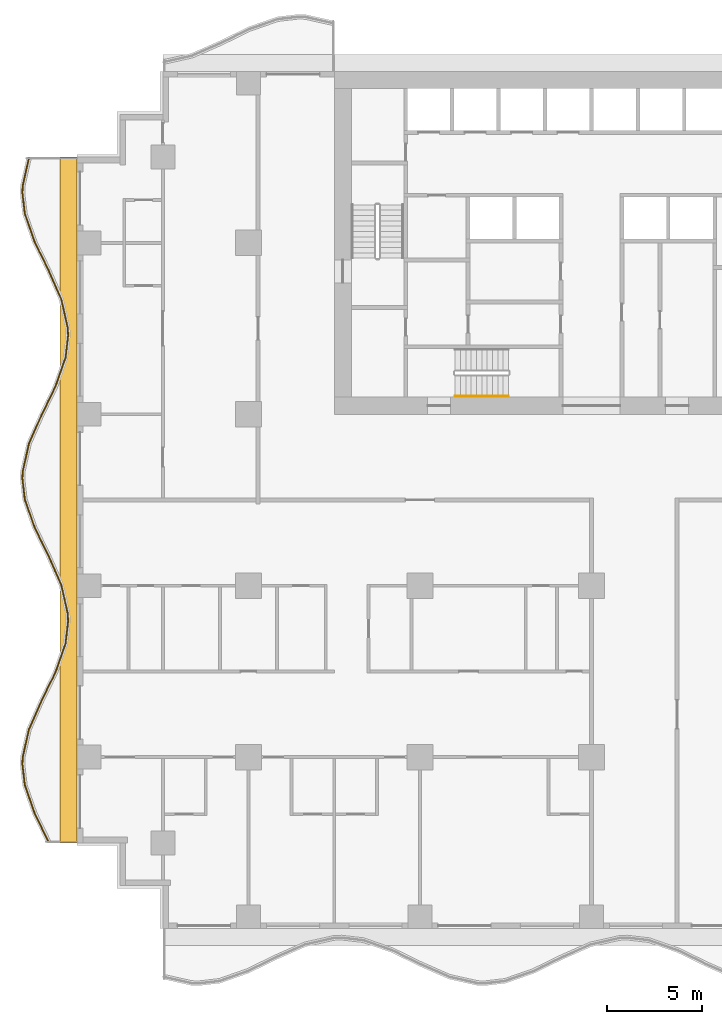
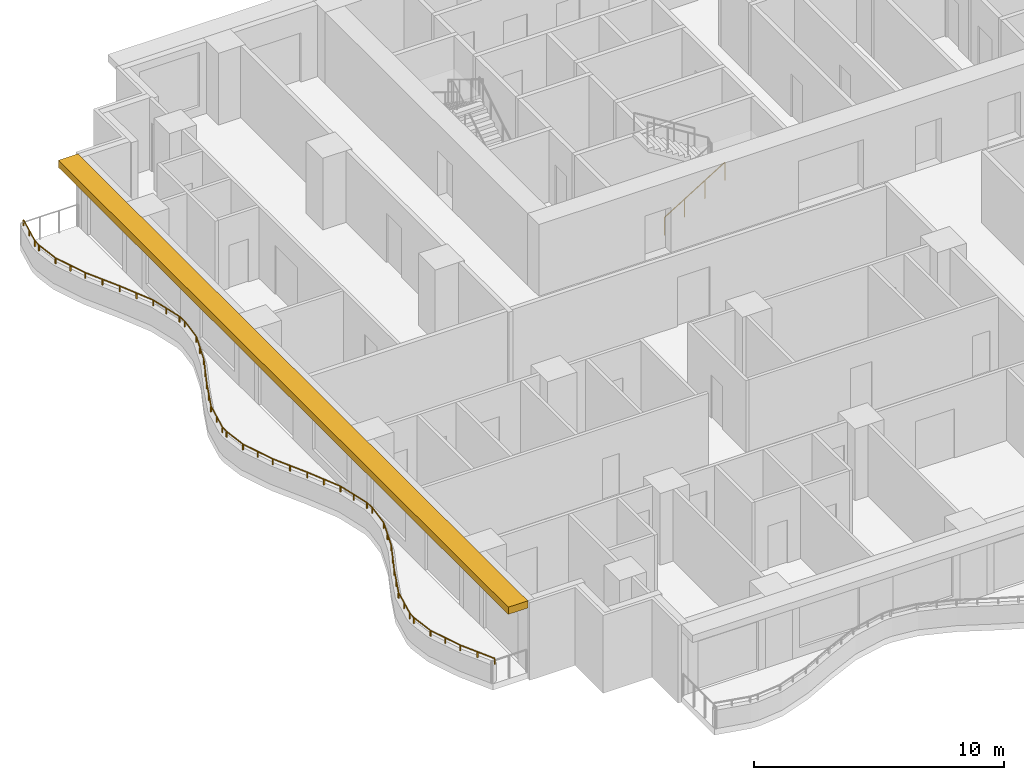
# One storey, part 9 of 14: 2 railings, 1 shading device.
"""IFC4 building model written with IfcOpenShell, lengths in metres."""

from ifc_helpers import new_model, si_unit, direction, frame, origin, origin_2d, place, context, subcontext, project, spatial, polyline, rectangle, circle, outline, extrude, material, layer, layer_set, type_object, element, save


model = new_model("IFC4")

# Units and contexts
model_context = context("Model", 3, precision=1e-05, world=origin(), true_north=direction((0.0, 1.0)))
body_context = subcontext(model_context, "Body", "Model", "MODEL_VIEW")
ifc_project = project(units=[si_unit("LENGTHUNIT", "METRE"), si_unit("AREAUNIT", "SQUARE_METRE"), si_unit("VOLUMEUNIT", "CUBIC_METRE"), si_unit("PLANEANGLEUNIT", "RADIAN"), si_unit("MASSUNIT", "GRAM", prefix="KILO")], contexts=[model_context])

# Site, building, storey
site_placement = place(None, origin())
site = spatial("IfcSite", under=ifc_project, at=site_placement, CompositionType="ELEMENT")
building_placement = place(site_placement, origin())
building = spatial("IfcBuilding", under=site, at=building_placement, Name="Orbiselva Terraces", CompositionType="ELEMENT")
storey_placement = place(building_placement, frame((0.0, 0.0, 111.2)))
storey = spatial("IfcBuildingStorey", under=building, at=storey_placement, Name="L28", CompositionType="ELEMENT", Elevation=111.2)

# Railings
ifc_material_1 = material(Name="Stainless steel", Category="steel")
railing_type_1 = type_object("IfcRailingType", Name="CORE-HANDRAIL-900", PredefinedType="HANDRAIL", material=ifc_material_1)
railing_1_placement = place(storey_placement, frame((-7.15, 5.45, 0.172727)))
element("IfcRailing", 1, at=railing_1_placement, inside=storey, type_object=railing_type_1, Name="L28 S3 stair handrail 1", PredefinedType="HANDRAIL", context=body_context, shape_type="SweptSolid", body=[
    extrude(circle(Radius=0.024, at=origin_2d()), frame((0.0, 0.0, 0.876), z_axis=(0.851088519012, 0.0, 0.52502222125), x_axis=(0.0, 1.0, 0.0)), (0.0, 0.0, 1.0), 3.289905),
    extrude(circle(Radius=0.021, at=origin_2d()), origin(), (0.0, 0.0, 1.0), 0.852),
    extrude(circle(Radius=0.021, at=origin_2d()), frame((0.933333, 0.0, 0.575758)), (0.0, 0.0, 1.0), 0.852),
    extrude(circle(Radius=0.021, at=origin_2d()), frame((1.866667, 0.0, 1.151515)), (0.0, 0.0, 1.0), 0.852),
    extrude(circle(Radius=0.021, at=origin_2d()), frame((2.8, 0.0, 1.727273)), (0.0, 0.0, 1.0), 0.852),
])
ifc_material_2 = material(Name="Bonded two-ply safety glass balustrade, stainless steel posts", Category="steel")
railing_type_2 = type_object("IfcRailingType", Name="ENV-BALUSTRADE-1200", PredefinedType="BALUSTRADE", material=ifc_material_2)
railing_2_placement = place(storey_placement, frame((-29.526563, 17.972623, 0.9)))
element("IfcRailing", 2, at=railing_2_placement, inside=storey, type_object=railing_type_2, Name="Balcony balustrade L28 W", PredefinedType="BALUSTRADE", context=body_context, shape_type="SweptSolid", body=[
    extrude(outline(polyline([(0.028868, 0.0), (0.014434, 0.025), (-0.014434, 0.025), (-0.028868, 0.0), (-0.014434, -0.025), (0.014434, -0.025), (0.028868, 0.0)])), frame((0.0, 0.0, 0.275), z_axis=(-0.21901575501, -0.975721322437, 0.0), x_axis=(0.975721322437, -0.21901575501, 0.0)), (0.0, 0.0, 1.0), 1.525954),
    extrude(outline(polyline([(0.028868, 0.0), (0.014434, 0.025), (-0.014434, 0.025), (-0.028868, 0.0), (-0.014434, -0.025), (0.014434, -0.025), (0.028868, 0.0)])), frame((-0.334208, -1.488906, 0.275), z_axis=(-0.039364150694, -0.999224931454, 0.0), x_axis=(0.999224931454, -0.039364150694, 0.0)), (0.0, 0.0, 1.0), 0.354206),
    extrude(outline(polyline([(0.028868, 0.0), (0.014434, 0.025), (-0.014434, 0.025), (-0.028868, 0.0), (-0.014434, -0.025), (0.014434, -0.025), (0.028868, 0.0)])), frame((-0.348151, -1.842837, 0.275), z_axis=(0.115481264762, -0.993309658409, 0.0), x_axis=(0.993309658409, 0.115481264762, 0.0)), (0.0, 0.0, 1.0), 1.10902),
    extrude(outline(polyline([(0.028868, 0.0), (0.014434, 0.025), (-0.014434, 0.025), (-0.028868, 0.0), (-0.014434, -0.025), (0.014434, -0.025), (0.028868, 0.0)])), frame((-0.22008, -2.944437, 0.275), z_axis=(0.330024754707, -0.943972277814, 0.0), x_axis=(0.943972277814, 0.330024754707, 0.0)), (0.0, 0.0, 1.0), 1.567807),
    extrude(outline(polyline([(0.028868, 0.0), (0.014434, 0.025), (-0.014434, 0.025), (-0.028868, 0.0), (-0.014434, -0.025), (0.014434, -0.025), (0.028868, 0.0)])), frame((0.297335, -4.424403, 0.275), z_axis=(0.438811978768, -0.89857890432, 0.0), x_axis=(0.89857890432, 0.438811978768, 0.0)), (0.0, 0.0, 1.0), 1.66438),
    extrude(outline(polyline([(0.028868, 0.0), (0.014434, 0.025), (-0.014434, 0.025), (-0.028868, 0.0), (-0.014434, -0.025), (0.014434, -0.025), (0.028868, 0.0)])), frame((1.027685, -5.91998, 0.275), z_axis=(0.403150874148, -0.915133527237, 0.0), x_axis=(0.915133527237, 0.403150874148, 0.0)), (0.0, 0.0, 1.0), 1.653736),
    extrude(outline(polyline([(0.028868, 0.0), (0.014434, 0.025), (-0.014434, 0.025), (-0.028868, 0.0), (-0.014434, -0.025), (0.014434, -0.025), (0.028868, 0.0)])), frame((1.69439, -7.433369, 0.275), z_axis=(0.219015500924, -0.97572137947, 0.0), x_axis=(0.97572137947, 0.219015500924, 0.0)), (0.0, 0.0, 1.0), 1.560867),
    extrude(outline(polyline([(0.028868, 0.0), (0.014434, 0.025), (-0.014434, 0.025), (-0.028868, 0.0), (-0.014434, -0.025), (0.014434, -0.025), (0.028868, 0.0)])), frame((2.036244, -8.95634, 0.275), z_axis=(0.03936915532, -0.999224734286, 0.0), x_axis=(0.999224734286, 0.03936915532, 0.0)), (0.0, 0.0, 1.0), 0.396376),
    extrude(outline(polyline([(0.028868, 0.0), (0.014434, 0.025), (-0.014434, 0.025), (-0.028868, 0.0), (-0.014434, -0.025), (0.014434, -0.025), (0.028868, 0.0)])), frame((2.051849, -9.352409, 0.275), z_axis=(-0.115482182324, -0.993309551734, 0.0), x_axis=(0.993309551734, -0.115482182324, 0.0)), (0.0, 0.0, 1.0), 1.156135),
    extrude(outline(polyline([(0.028868, 0.0), (0.014434, 0.025), (-0.014434, 0.025), (-0.028868, 0.0), (-0.014434, -0.025), (0.014434, -0.025), (0.028868, 0.0)])), frame((1.918336, -10.500809, 0.275), z_axis=(-0.330024597479, -0.943972332783, 0.0), x_axis=(0.943972332783, -0.330024597479, 0.0)), (0.0, 0.0, 1.0), 1.610253),
    extrude(outline(polyline([(0.028868, 0.0), (0.014434, 0.025), (-0.014434, 0.025), (-0.028868, 0.0), (-0.014434, -0.025), (0.014434, -0.025), (0.028868, 0.0)])), frame((1.386913, -12.020843, 0.275), z_axis=(-0.438812048596, -0.898578870221, 0.0), x_axis=(0.898578870221, -0.438812048596, 0.0)), (0.0, 0.0, 1.0), 1.674225),
    extrude(outline(polyline([(0.028868, 0.0), (0.014434, 0.025), (-0.014434, 0.025), (-0.028868, 0.0), (-0.014434, -0.025), (0.014434, -0.025), (0.028868, 0.0)])), frame((0.652243, -13.525266, 0.275), z_axis=(-0.403151245402, -0.915133363686, 0.0), x_axis=(0.915133363686, -0.403151245402, 0.0)), (0.0, 0.0, 1.0), 1.624475),
    extrude(outline(polyline([(0.028868, 0.0), (0.014434, 0.025), (-0.014434, 0.025), (-0.028868, 0.0), (-0.014434, -0.025), (0.014434, -0.025), (0.028868, 0.0)])), frame((-0.002666, -15.011877, 0.275), z_axis=(-0.219015740235, -0.975721325753, 0.0), x_axis=(0.975721325753, -0.219015740235, 0.0)), (0.0, 0.0, 1.0), 1.513782),
    extrude(outline(polyline([(0.028868, 0.0), (0.014434, 0.025), (-0.014434, 0.025), (-0.028868, 0.0), (-0.014434, -0.025), (0.014434, -0.025), (0.028868, 0.0)])), frame((-0.334208, -16.488906, 0.275), z_axis=(-0.039364150694, -0.999224931454, 0.0), x_axis=(0.999224931454, -0.039364150694, 0.0)), (0.0, 0.0, 1.0), 0.354206),
    extrude(outline(polyline([(0.028868, 0.0), (0.014434, 0.025), (-0.014434, 0.025), (-0.028868, 0.0), (-0.014434, -0.025), (0.014434, -0.025), (0.028868, 0.0)])), frame((-0.348151, -16.842837, 0.275), z_axis=(0.115481264762, -0.993309658409, 0.0), x_axis=(0.993309658409, 0.115481264762, 0.0)), (0.0, 0.0, 1.0), 1.10902),
    extrude(outline(polyline([(0.028868, 0.0), (0.014434, 0.025), (-0.014434, 0.025), (-0.028868, 0.0), (-0.014434, -0.025), (0.014434, -0.025), (0.028868, 0.0)])), frame((-0.22008, -17.944437, 0.275), z_axis=(0.330024754707, -0.943972277814, 0.0), x_axis=(0.943972277814, 0.330024754707, 0.0)), (0.0, 0.0, 1.0), 1.567807),
    extrude(outline(polyline([(0.028868, 0.0), (0.014434, 0.025), (-0.014434, 0.025), (-0.028868, 0.0), (-0.014434, -0.025), (0.014434, -0.025), (0.028868, 0.0)])), frame((0.297335, -19.424403, 0.275), z_axis=(0.438811978768, -0.89857890432, 0.0), x_axis=(0.89857890432, 0.438811978768, 0.0)), (0.0, 0.0, 1.0), 1.66438),
    extrude(outline(polyline([(0.028868, 0.0), (0.014434, 0.025), (-0.014434, 0.025), (-0.028868, 0.0), (-0.014434, -0.025), (0.014434, -0.025), (0.028868, 0.0)])), frame((1.027685, -20.91998, 0.275), z_axis=(0.403150874148, -0.915133527237, 0.0), x_axis=(0.915133527237, 0.403150874148, 0.0)), (0.0, 0.0, 1.0), 1.653736),
    extrude(outline(polyline([(0.028868, 0.0), (0.014434, 0.025), (-0.014434, 0.025), (-0.028868, 0.0), (-0.014434, -0.025), (0.014434, -0.025), (0.028868, 0.0)])), frame((1.69439, -22.433369, 0.275), z_axis=(0.219015500924, -0.97572137947, 0.0), x_axis=(0.97572137947, 0.219015500924, 0.0)), (0.0, 0.0, 1.0), 1.560867),
    extrude(outline(polyline([(0.028868, 0.0), (0.014434, 0.025), (-0.014434, 0.025), (-0.028868, 0.0), (-0.014434, -0.025), (0.014434, -0.025), (0.028868, 0.0)])), frame((2.036244, -23.95634, 0.275), z_axis=(0.03936915532, -0.999224734286, 0.0), x_axis=(0.999224734286, 0.03936915532, 0.0)), (0.0, 0.0, 1.0), 0.396376),
    extrude(outline(polyline([(0.028868, 0.0), (0.014434, 0.025), (-0.014434, 0.025), (-0.028868, 0.0), (-0.014434, -0.025), (0.014434, -0.025), (0.028868, 0.0)])), frame((2.051849, -24.352409, 0.275), z_axis=(-0.115482182324, -0.993309551734, 0.0), x_axis=(0.993309551734, -0.115482182324, 0.0)), (0.0, 0.0, 1.0), 1.156135),
    extrude(outline(polyline([(0.028868, 0.0), (0.014434, 0.025), (-0.014434, 0.025), (-0.028868, 0.0), (-0.014434, -0.025), (0.014434, -0.025), (0.028868, 0.0)])), frame((1.918336, -25.500809, 0.275), z_axis=(-0.330024597479, -0.943972332783, 0.0), x_axis=(0.943972332783, -0.330024597479, 0.0)), (0.0, 0.0, 1.0), 1.610253),
    extrude(outline(polyline([(0.028868, 0.0), (0.014434, 0.025), (-0.014434, 0.025), (-0.028868, 0.0), (-0.014434, -0.025), (0.014434, -0.025), (0.028868, 0.0)])), frame((1.386913, -27.020843, 0.275), z_axis=(-0.438812048596, -0.898578870221, 0.0), x_axis=(0.898578870221, -0.438812048596, 0.0)), (0.0, 0.0, 1.0), 1.674225),
    extrude(outline(polyline([(0.028868, 0.0), (0.014434, 0.025), (-0.014434, 0.025), (-0.028868, 0.0), (-0.014434, -0.025), (0.014434, -0.025), (0.028868, 0.0)])), frame((0.652243, -28.525266, 0.275), z_axis=(-0.403151245402, -0.915133363686, 0.0), x_axis=(0.915133363686, -0.403151245402, 0.0)), (0.0, 0.0, 1.0), 1.624475),
    extrude(outline(polyline([(0.028868, 0.0), (0.014434, 0.025), (-0.014434, 0.025), (-0.028868, 0.0), (-0.014434, -0.025), (0.014434, -0.025), (0.028868, 0.0)])), frame((-0.002666, -30.011877, 0.275), z_axis=(-0.219015740235, -0.975721325753, 0.0), x_axis=(0.975721325753, -0.219015740235, 0.0)), (0.0, 0.0, 1.0), 1.513782),
    extrude(outline(polyline([(0.028868, 0.0), (0.014434, 0.025), (-0.014434, 0.025), (-0.028868, 0.0), (-0.014434, -0.025), (0.014434, -0.025), (0.028868, 0.0)])), frame((-0.334208, -31.488906, 0.275), z_axis=(-0.039364150694, -0.999224931454, 0.0), x_axis=(0.999224931454, -0.039364150694, 0.0)), (0.0, 0.0, 1.0), 0.354206),
    extrude(outline(polyline([(0.028868, 0.0), (0.014434, 0.025), (-0.014434, 0.025), (-0.028868, 0.0), (-0.014434, -0.025), (0.014434, -0.025), (0.028868, 0.0)])), frame((-0.348151, -31.842837, 0.275), z_axis=(0.115481264762, -0.993309658409, 0.0), x_axis=(0.993309658409, 0.115481264762, 0.0)), (0.0, 0.0, 1.0), 1.10902),
    extrude(outline(polyline([(0.028868, 0.0), (0.014434, 0.025), (-0.014434, 0.025), (-0.028868, 0.0), (-0.014434, -0.025), (0.014434, -0.025), (0.028868, 0.0)])), frame((-0.22008, -32.944437, 0.275), z_axis=(0.330024754707, -0.943972277814, 0.0), x_axis=(0.943972277814, 0.330024754707, 0.0)), (0.0, 0.0, 1.0), 1.567807),
    extrude(outline(polyline([(0.028868, 0.0), (0.014434, 0.025), (-0.014434, 0.025), (-0.028868, 0.0), (-0.014434, -0.025), (0.014434, -0.025), (0.028868, 0.0)])), frame((0.297335, -34.424403, 0.275), z_axis=(0.438811853882, -0.898578965307, 0.0), x_axis=(0.898578965307, 0.438811853882, 0.0)), (0.0, 0.0, 1.0), 1.661922),
    extrude(rectangle(XDim=0.05, YDim=0.05, at=origin_2d()), origin(), (0.0, 0.0, 1.0), 0.25),
    extrude(rectangle(XDim=0.05, YDim=0.05, at=origin_2d()), frame((-0.167104, -0.744453, 0.0)), (0.0, 0.0, 1.0), 0.25),
    extrude(rectangle(XDim=0.05, YDim=0.05, at=origin_2d()), frame((-0.334208, -1.488906, 0.0)), (0.0, 0.0, 1.0), 0.25),
    extrude(rectangle(XDim=0.05, YDim=0.05, at=origin_2d()), frame((-0.348151, -1.842837, 0.0)), (0.0, 0.0, 1.0), 0.25),
    extrude(rectangle(XDim=0.05, YDim=0.05, at=origin_2d()), frame((-0.22008, -2.944437, 0.0)), (0.0, 0.0, 1.0), 0.25),
    extrude(rectangle(XDim=0.05, YDim=0.05, at=origin_2d()), frame((0.038628, -3.68442, 0.0)), (0.0, 0.0, 1.0), 0.25),
    extrude(rectangle(XDim=0.05, YDim=0.05, at=origin_2d()), frame((0.297335, -4.424403, 0.0)), (0.0, 0.0, 1.0), 0.25),
    extrude(rectangle(XDim=0.05, YDim=0.05, at=origin_2d()), frame((0.66251, -5.172191, 0.0)), (0.0, 0.0, 1.0), 0.25),
    extrude(rectangle(XDim=0.05, YDim=0.05, at=origin_2d()), frame((1.027685, -5.91998, 0.0)), (0.0, 0.0, 1.0), 0.25),
    extrude(rectangle(XDim=0.05, YDim=0.05, at=origin_2d()), frame((1.361037, -6.676674, 0.0)), (0.0, 0.0, 1.0), 0.25),
    extrude(rectangle(XDim=0.05, YDim=0.05, at=origin_2d()), frame((1.69439, -7.433369, 0.0)), (0.0, 0.0, 1.0), 0.25),
    extrude(rectangle(XDim=0.05, YDim=0.05, at=origin_2d()), frame((1.865317, -8.194854, 0.0)), (0.0, 0.0, 1.0), 0.25),
    extrude(rectangle(XDim=0.05, YDim=0.05, at=origin_2d()), frame((2.036244, -8.95634, 0.0)), (0.0, 0.0, 1.0), 0.25),
    extrude(rectangle(XDim=0.05, YDim=0.05, at=origin_2d()), frame((2.051849, -9.352409, 0.0)), (0.0, 0.0, 1.0), 0.25),
    extrude(rectangle(XDim=0.05, YDim=0.05, at=origin_2d()), frame((1.918336, -10.500809, 0.0)), (0.0, 0.0, 1.0), 0.25),
    extrude(rectangle(XDim=0.05, YDim=0.05, at=origin_2d()), frame((1.652624, -11.260826, 0.0)), (0.0, 0.0, 1.0), 0.25),
    extrude(rectangle(XDim=0.05, YDim=0.05, at=origin_2d()), frame((1.386913, -12.020843, 0.0)), (0.0, 0.0, 1.0), 0.25),
    extrude(rectangle(XDim=0.05, YDim=0.05, at=origin_2d()), frame((1.019578, -12.773054, 0.0)), (0.0, 0.0, 1.0), 0.25),
    extrude(rectangle(XDim=0.05, YDim=0.05, at=origin_2d()), frame((0.652243, -13.525266, 0.0)), (0.0, 0.0, 1.0), 0.25),
    extrude(rectangle(XDim=0.05, YDim=0.05, at=origin_2d()), frame((0.324788, -14.268571, 0.0)), (0.0, 0.0, 1.0), 0.25),
    extrude(rectangle(XDim=0.05, YDim=0.05, at=origin_2d()), frame((-0.002666, -15.011877, 0.0)), (0.0, 0.0, 1.0), 0.25),
    extrude(rectangle(XDim=0.05, YDim=0.05, at=origin_2d()), frame((-0.168437, -15.750392, 0.0)), (0.0, 0.0, 1.0), 0.25),
    extrude(rectangle(XDim=0.05, YDim=0.05, at=origin_2d()), frame((-0.334208, -16.488906, 0.0)), (0.0, 0.0, 1.0), 0.25),
    extrude(rectangle(XDim=0.05, YDim=0.05, at=origin_2d()), frame((-0.348151, -16.842837, 0.0)), (0.0, 0.0, 1.0), 0.25),
    extrude(rectangle(XDim=0.05, YDim=0.05, at=origin_2d()), frame((-0.22008, -17.944437, 0.0)), (0.0, 0.0, 1.0), 0.25),
    extrude(rectangle(XDim=0.05, YDim=0.05, at=origin_2d()), frame((0.038628, -18.68442, 0.0)), (0.0, 0.0, 1.0), 0.25),
    extrude(rectangle(XDim=0.05, YDim=0.05, at=origin_2d()), frame((0.297335, -19.424403, 0.0)), (0.0, 0.0, 1.0), 0.25),
    extrude(rectangle(XDim=0.05, YDim=0.05, at=origin_2d()), frame((0.66251, -20.172191, 0.0)), (0.0, 0.0, 1.0), 0.25),
    extrude(rectangle(XDim=0.05, YDim=0.05, at=origin_2d()), frame((1.027685, -20.91998, 0.0)), (0.0, 0.0, 1.0), 0.25),
    extrude(rectangle(XDim=0.05, YDim=0.05, at=origin_2d()), frame((1.361037, -21.676674, 0.0)), (0.0, 0.0, 1.0), 0.25),
    extrude(rectangle(XDim=0.05, YDim=0.05, at=origin_2d()), frame((1.69439, -22.433369, 0.0)), (0.0, 0.0, 1.0), 0.25),
    extrude(rectangle(XDim=0.05, YDim=0.05, at=origin_2d()), frame((1.865317, -23.194854, 0.0)), (0.0, 0.0, 1.0), 0.25),
    extrude(rectangle(XDim=0.05, YDim=0.05, at=origin_2d()), frame((2.036244, -23.95634, 0.0)), (0.0, 0.0, 1.0), 0.25),
    extrude(rectangle(XDim=0.05, YDim=0.05, at=origin_2d()), frame((2.051849, -24.352409, 0.0)), (0.0, 0.0, 1.0), 0.25),
    extrude(rectangle(XDim=0.05, YDim=0.05, at=origin_2d()), frame((1.918336, -25.500809, 0.0)), (0.0, 0.0, 1.0), 0.25),
    extrude(rectangle(XDim=0.05, YDim=0.05, at=origin_2d()), frame((1.652624, -26.260826, 0.0)), (0.0, 0.0, 1.0), 0.25),
    extrude(rectangle(XDim=0.05, YDim=0.05, at=origin_2d()), frame((1.386913, -27.020843, 0.0)), (0.0, 0.0, 1.0), 0.25),
    extrude(rectangle(XDim=0.05, YDim=0.05, at=origin_2d()), frame((1.019578, -27.773054, 0.0)), (0.0, 0.0, 1.0), 0.25),
    extrude(rectangle(XDim=0.05, YDim=0.05, at=origin_2d()), frame((0.652243, -28.525266, 0.0)), (0.0, 0.0, 1.0), 0.25),
    extrude(rectangle(XDim=0.05, YDim=0.05, at=origin_2d()), frame((0.324788, -29.268572, 0.0)), (0.0, 0.0, 1.0), 0.25),
    extrude(rectangle(XDim=0.05, YDim=0.05, at=origin_2d()), frame((-0.002666, -30.011877, 0.0)), (0.0, 0.0, 1.0), 0.25),
    extrude(rectangle(XDim=0.05, YDim=0.05, at=origin_2d()), frame((-0.168437, -30.750392, 0.0)), (0.0, 0.0, 1.0), 0.25),
    extrude(rectangle(XDim=0.05, YDim=0.05, at=origin_2d()), frame((-0.334208, -31.488906, 0.0)), (0.0, 0.0, 1.0), 0.25),
    extrude(rectangle(XDim=0.05, YDim=0.05, at=origin_2d()), frame((-0.348151, -31.842837, 0.0)), (0.0, 0.0, 1.0), 0.25),
    extrude(rectangle(XDim=0.05, YDim=0.05, at=origin_2d()), frame((-0.22008, -32.944437, 0.0)), (0.0, 0.0, 1.0), 0.25),
    extrude(rectangle(XDim=0.05, YDim=0.05, at=origin_2d()), frame((0.038628, -33.68442, 0.0)), (0.0, 0.0, 1.0), 0.25),
    extrude(rectangle(XDim=0.05, YDim=0.05, at=origin_2d()), frame((0.297335, -34.424403, 0.0)), (0.0, 0.0, 1.0), 0.25),
    extrude(rectangle(XDim=0.05, YDim=0.05, at=origin_2d()), frame((0.661971, -35.171087, 0.0)), (0.0, 0.0, 1.0), 0.25),
    extrude(rectangle(XDim=0.05, YDim=0.05, at=origin_2d()), frame((1.026606, -35.917771, 0.0)), (0.0, 0.0, 1.0), 0.25),
])

# Shading device
ifc_material_3 = material(Name="Terracotta baguette sunshade", Category="masonry")
ifc_layer = layer(ifc_material_3, 0.35)
ifc_layer_set = layer_set([ifc_layer], Name="Terracotta baguette sunshade")
shading_device_type = type_object("IfcShadingDeviceType", Name="ENV-SUNSHADE-900x350", PredefinedType="USERDEFINED", material=ifc_layer_set)
shading_device_placement = place(storey_placement, frame((0.0, 0.0, 3.15)))
element("IfcShadingDevice", 3, at=shading_device_placement, inside=storey, type_object=shading_device_type, Name="Sunshade band L28 W", ObjectType="SUNSHADE", PredefinedType="USERDEFINED", context=body_context, shape_type="SweptSolid", body=[
    extrude(outline(polyline([(-27.9, 18.0), (-27.9, -18.0), (-27.0, -18.0), (-27.0, 18.0), (-27.9, 18.0)])), origin(), (0.0, 0.0, 1.0), 0.35),
])

save(model, "model.ifc")
